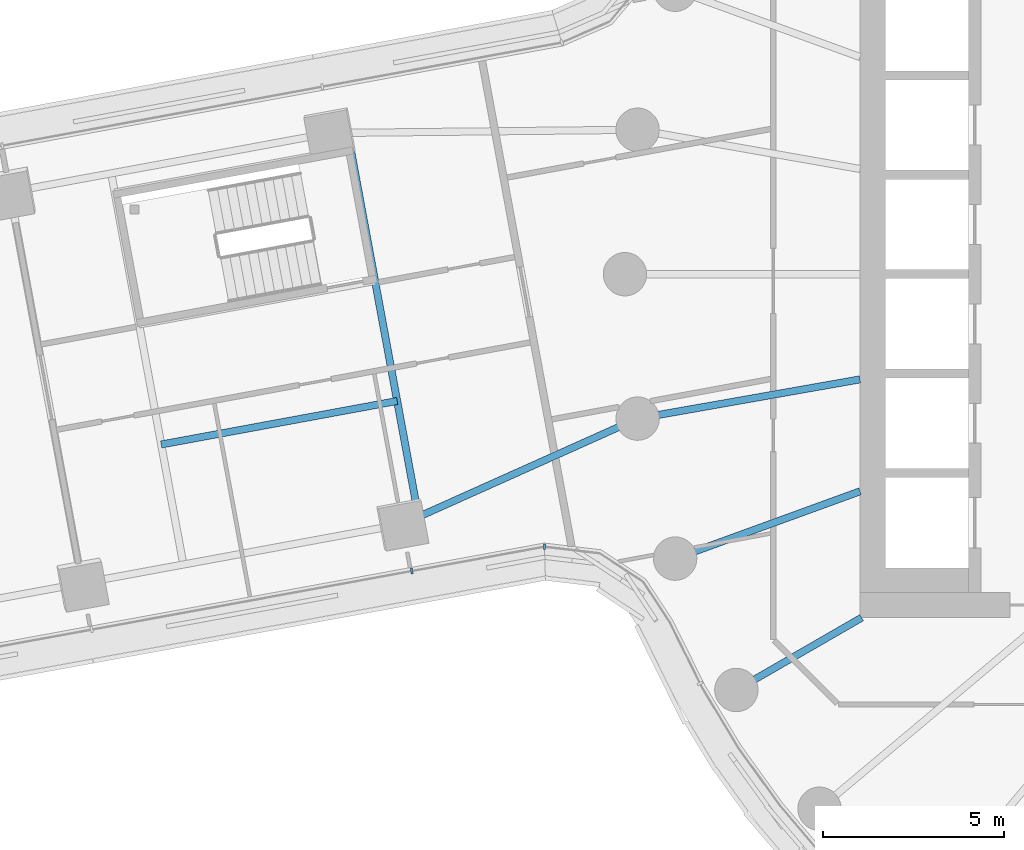
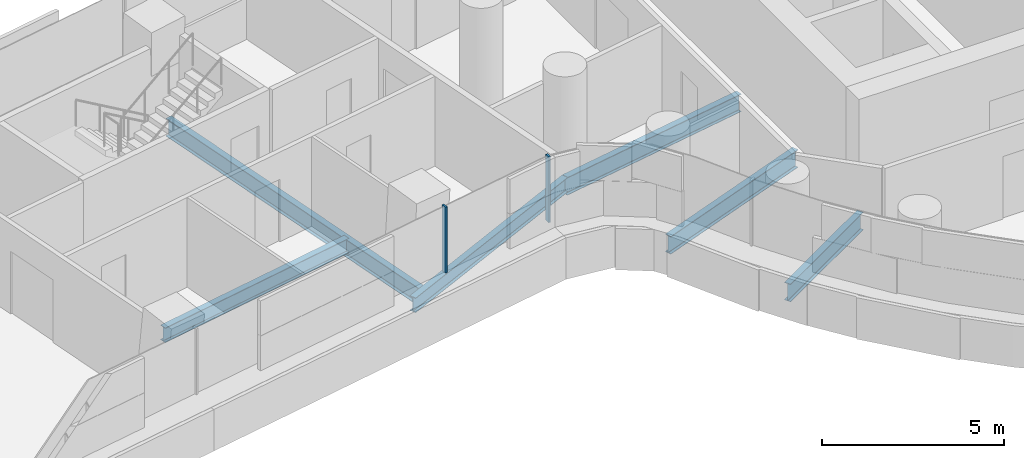
# One storey, part 7 of 33: 6 beams, 2 members, 2 elements without a shape of their own.
"""IFC4 building model written with IfcOpenShell, lengths in metres."""

from ifc_helpers import new_model, si_unit, direction, frame, origin, origin_2d, place, context, subcontext, project, spatial, rectangle, i_section, extrude, material, layer, layer_set, material_profile, profile_set, type_object, element, aggregate, save


model = new_model("IFC4")

# Units and contexts
model_context = context("Model", 3, precision=1e-05, world=origin(), true_north=direction((0.0, 1.0)))
body_context = subcontext(model_context, "Body", "Model", "MODEL_VIEW")
ifc_project = project(units=[si_unit("LENGTHUNIT", "METRE"), si_unit("AREAUNIT", "SQUARE_METRE"), si_unit("VOLUMEUNIT", "CUBIC_METRE"), si_unit("PLANEANGLEUNIT", "RADIAN"), si_unit("MASSUNIT", "GRAM", prefix="KILO")], contexts=[model_context])

# Site, building, storey
site_placement = place(None, origin())
site = spatial("IfcSite", under=ifc_project, at=site_placement, CompositionType="ELEMENT")
building_placement = place(site_placement, origin())
building = spatial("IfcBuilding", under=site, at=building_placement, Name="Tamarind Cross Interchange Tower", CompositionType="ELEMENT")
storey_placement = place(building_placement, frame((0.0, 0.0, 71.5)))
storey = spatial("IfcBuildingStorey", under=building, at=storey_placement, Name="L16", CompositionType="ELEMENT", Elevation=71.5)

# Beams
ifc_material_1 = material(Name="Steel Q355B", Category="steel")
ifc_material_profile_1 = material_profile(ifc_material_1, i_section(OverallWidth=0.198974609375, OverallDepth=0.49609375, WebThickness=0.009033203125, FlangeThickness=0.013916015625, FilletRadius=0.012939453125, at=origin_2d()), Name="HN 496x199x9x14")
ifc_profile_set_1 = profile_set([ifc_material_profile_1], Name="Steel Q355B")
beam_type_1 = type_object("IfcBeamType", Name="Composite beam HN 496x199x9x14 Q355B", PredefinedType="BEAM", material=ifc_profile_set_1)
beam_1_placement = place(storey_placement, frame((-29.1650390625, -6.9140625, -0.387939453125), z_axis=(0.912513726226, 0.40904608475, 0.0), x_axis=(-0.40904608475, 0.912513726226, 0.0)))
element("IfcBeam", 1, at=beam_1_placement, inside=storey, type_object=beam_type_1, Name="Beam W-linkep", PredefinedType="BEAM", context=body_context, shape_type="SweptSolid", body=[
    extrude(i_section(OverallWidth=0.198974609375, OverallDepth=0.49609375, WebThickness=0.009033203125, FlangeThickness=0.013916015625, FilletRadius=0.012939453125, at=origin_2d()), origin(), (0.0, 0.0, 1.0), 7.138916015625),
])
beam_2_placement = place(storey_placement, frame((-29.2998046875, -3.5068359375, -0.387939453125), z_axis=(-0.983416422781, -0.181361901743, 0.0), x_axis=(0.181361901743, -0.983416422781, 0.0)))
element("IfcBeam", 2, at=beam_2_placement, inside=storey, type_object=beam_type_1, Name="Beam W-stripp", PredefinedType="BEAM", context=body_context, shape_type="SweptSolid", body=[
    extrude(i_section(OverallWidth=0.198974609375, OverallDepth=0.49609375, WebThickness=0.009033203125, FlangeThickness=0.013916015625, FilletRadius=0.012939453125, at=origin_2d()), origin(), (0.0, 0.0, 1.0), 6.63525390625),
])
ifc_material_profile_2 = material_profile(ifc_material_1, i_section(OverallWidth=0.198974609375, OverallDepth=0.595947265625, WebThickness=0.010009765625, FlangeThickness=0.014892578125, FilletRadius=0.012939453125, at=origin_2d()), Name="HN 596x199x10x15")
ifc_profile_set_2 = profile_set([ifc_material_profile_2], Name="Steel Q355B")
beam_type_2 = type_object("IfcBeamType", Name="Composite beam HN 596x199x10x15 Q355B", PredefinedType="BEAM", material=ifc_profile_set_2)
beam_3_placement = place(storey_placement, frame((-22.650634765625, -3.993896484375, -0.43798828125), z_axis=(0.984809127561, 0.173640382036, 0.0), x_axis=(-0.173640382036, 0.984809127561, 0.0)))
element("IfcBeam", 3, at=beam_3_placement, inside=storey, type_object=beam_type_2, Name="Beam HH19", PredefinedType="BEAM", context=body_context, shape_type="SweptSolid", body=[
    extrude(i_section(OverallWidth=0.198974609375, OverallDepth=0.595947265625, WebThickness=0.010009765625, FlangeThickness=0.014892578125, FilletRadius=0.012939453125, at=origin_2d()), origin(), (0.0, 0.0, 1.0), 6.24560546875),
])
beam_4_placement = place(storey_placement, frame((-21.613037109375, -7.866455078125, -0.43798828125), z_axis=(0.939701685589, 0.341995236956, 0.0), x_axis=(-0.341995236956, 0.939701685589, 0.0)))
element("IfcBeam", 4, at=beam_4_placement, inside=storey, type_object=beam_type_2, Name="Beam HH20", PredefinedType="BEAM", context=body_context, shape_type="SweptSolid", body=[
    extrude(i_section(OverallWidth=0.198974609375, OverallDepth=0.595947265625, WebThickness=0.010009765625, FlangeThickness=0.014892578125, FilletRadius=0.012939453125, at=origin_2d()), origin(), (0.0, 0.0, 1.0), 5.441162109375),
])
beam_5_placement = place(storey_placement, frame((-19.918701171875, -11.5, -0.43798828125), z_axis=(0.866026010844, 0.49999894854, 0.0), x_axis=(-0.49999894854, 0.866026010844, 0.0)))
element("IfcBeam", 5, at=beam_5_placement, inside=storey, type_object=beam_type_2, Name="Beam HH21", PredefinedType="BEAM", context=body_context, shape_type="SweptSolid", body=[
    extrude(i_section(OverallWidth=0.198974609375, OverallDepth=0.595947265625, WebThickness=0.010009765625, FlangeThickness=0.014892578125, FilletRadius=0.012939453125, at=origin_2d()), origin(), (0.0, 0.0, 1.0), 4.0),
])
ifc_material_profile_3 = material_profile(ifc_material_1, i_section(OverallWidth=0.199951171875, OverallDepth=0.60009765625, WebThickness=0.010986328125, FlangeThickness=0.01708984375, FilletRadius=0.012939453125, at=origin_2d()), Name="HN 600x200x11x17")
ifc_profile_set_3 = profile_set([ifc_material_profile_3], Name="Steel Q355B")
beam_type_3 = type_object("IfcBeamType", Name="Composite beam HN 600x200x11x17 Q355B", PredefinedType="BEAM", material=ifc_profile_set_3)
beam_6_placement = place(storey_placement, frame((-30.667236328125, 3.908935546875, -0.43994140625), z_axis=(0.181336223109, -0.983421158095, 0.0), x_axis=(0.983421158095, 0.181336223109, 0.0)))
element("IfcBeam", 6, at=beam_6_placement, inside=storey, type_object=beam_type_3, Name="Beam W-x298", PredefinedType="BEAM", context=body_context, shape_type="SweptSolid", body=[
    extrude(i_section(OverallWidth=0.199951171875, OverallDepth=0.60009765625, WebThickness=0.010986328125, FlangeThickness=0.01708984375, FilletRadius=0.012939453125, at=origin_2d()), origin(), (0.0, 0.0, 1.0), 10.797607421875),
])

# Curtain wall, member
ifc_material_2 = material(Name="Aluminium 6063-T6", Category="aluminium")
ifc_layer = layer(ifc_material_2, 0.159912109375)
ifc_layer_set = layer_set([ifc_layer], Name="Aluminium 6063-T6")
curtain_wall_type = type_object("IfcCurtainWallType", Name="Office curtain wall, 9.0 m bays", PredefinedType="NOTDEFINED", material=ifc_layer_set)
curtain_wall_1_placement = place(storey_placement, origin())
curtain_wall_1 = element("IfcCurtainWall", 7, at=curtain_wall_1_placement, inside=storey, type_object=curtain_wall_type, Name="CWS-L16-01", PredefinedType="NOTDEFINED")
ifc_material_profile_4 = material_profile(ifc_material_2, rectangle(XDim=0.06005859375, YDim=0.159912109375, at=origin_2d()), Name="Mullion CW1")
ifc_profile_set_4 = profile_set([ifc_material_profile_4], Name="Aluminium 6063-T6")
member_type = type_object("IfcMemberType", Name="Mullion CW1", PredefinedType="MULLION", material=ifc_profile_set_4)
member_1_placement = place(storey_placement, frame((-28.896240234375, -8.208251953125, 1.39990234375), z_axis=(0.0, 0.0, 1.0), x_axis=(0.98365083434, 0.180086190758, 0.0)))
member_1 = element("IfcMember", 8, at=member_1_placement, type_object=member_type, Name="CWM-L16-01-02", PredefinedType="MULLION", context=body_context, shape_type="SweptSolid", body=[
    extrude(rectangle(XDim=0.06005859375, YDim=0.159912109375, at=origin_2d()), origin(), (0.0, 0.0, 1.0), 2.210205078125),
])
aggregate(curtain_wall_1, [member_1])

curtain_wall_2_placement = place(storey_placement, origin())
curtain_wall_2 = element("IfcCurtainWall", 9, at=curtain_wall_2_placement, inside=storey, type_object=curtain_wall_type, Name="CWS-L16-02", PredefinedType="NOTDEFINED")
member_2_placement = place(storey_placement, frame((-25.227294921875, -7.53662109375, 1.39990234375), z_axis=(0.0, 0.0, 1.0), x_axis=(0.999503286216, 0.03151477182, 0.0)))
member_2 = element("IfcMember", 10, at=member_2_placement, type_object=member_type, Name="CWM-L16-02-00", PredefinedType="MULLION", context=body_context, shape_type="SweptSolid", body=[
    extrude(rectangle(XDim=0.06005859375, YDim=0.159912109375, at=origin_2d()), origin(), (0.0, 0.0, 1.0), 2.210205078125),
])
aggregate(curtain_wall_2, [member_2])

save(model, "model.ifc")
